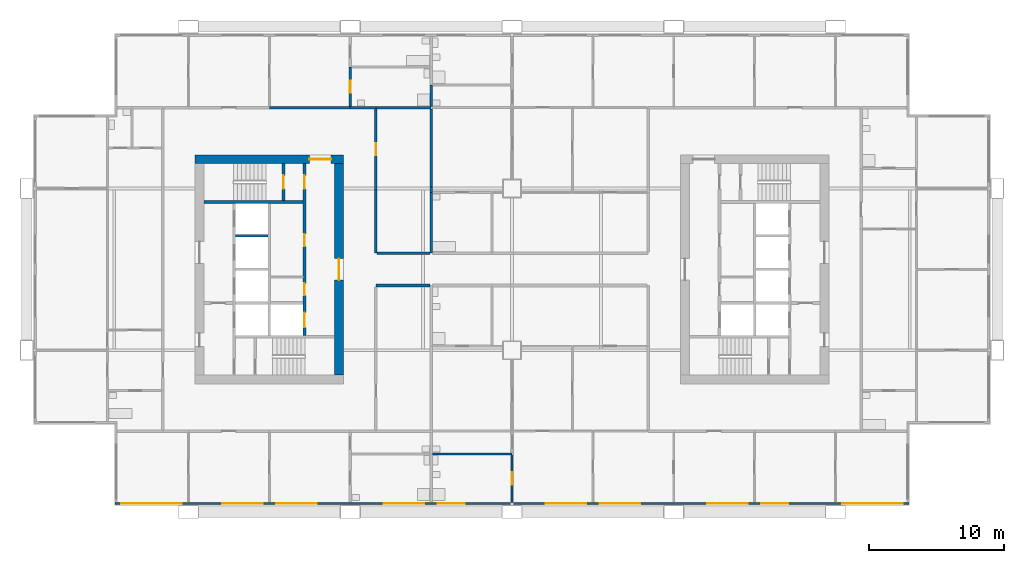
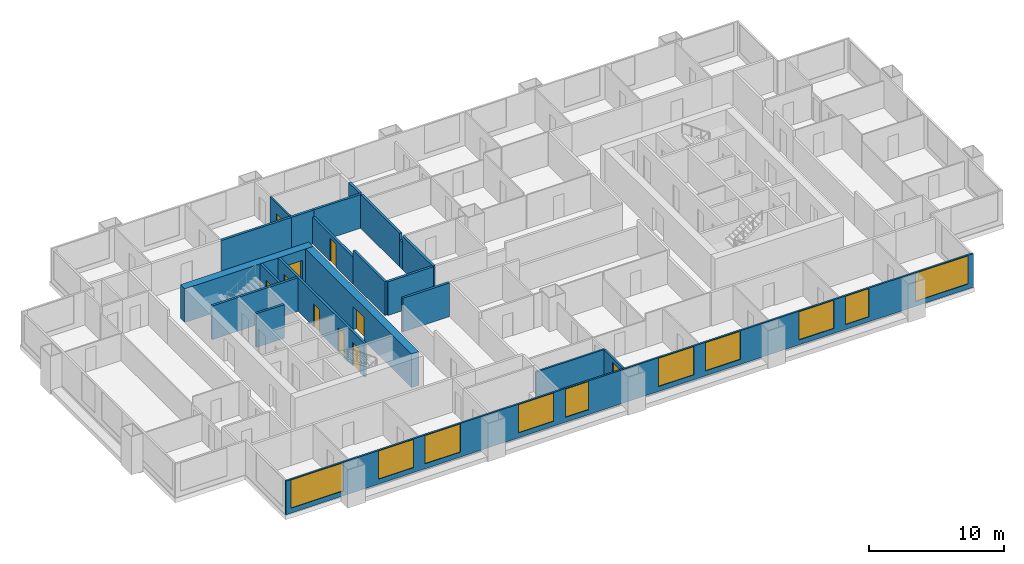
# One storey, part 4 of 11: 21 walls, 10 doors, 10 windows, 20 openings.
"""IFC4 building model written with IfcOpenShell, lengths in metres."""

from ifc_helpers import new_model, si_unit, direction, frame, frame_2d, origin, place, context, subcontext, project, spatial, rectangle, extrude, material, layer, layer_set, type_object, element, fill, save


model = new_model("IFC4")

# Units and contexts
model_context = context("Model", 3, precision=1e-05, world=origin(), true_north=direction((0.0, 1.0)))
body_context = subcontext(model_context, "Body", "Model", "MODEL_VIEW")
ifc_project = project(units=[si_unit("LENGTHUNIT", "METRE"), si_unit("AREAUNIT", "SQUARE_METRE"), si_unit("VOLUMEUNIT", "CUBIC_METRE"), si_unit("PLANEANGLEUNIT", "RADIAN"), si_unit("MASSUNIT", "GRAM", prefix="KILO")], contexts=[model_context])

# Site, building, storey
site_placement = place(None, origin())
site = spatial("IfcSite", under=ifc_project, at=site_placement, CompositionType="ELEMENT")
building_placement = place(site_placement, origin())
building = spatial("IfcBuilding", under=site, at=building_placement, Name="Kitamizu Gate Tower and Museum", CompositionType="ELEMENT")
storey_placement = place(building_placement, frame((0.0, 0.0, 110.39990234375)))
storey = spatial("IfcBuildingStorey", under=building, at=storey_placement, Name="L28", CompositionType="ELEMENT", Elevation=110.39990234375)

# Wall, opening, door
ifc_material_1 = material(Name="Concrete Fc60", Category="concrete")
ifc_layer_1 = layer(ifc_material_1, 0.64990234375)
ifc_layer_set_1 = layer_set([ifc_layer_1], Name="Concrete Fc60")
wall_type_1 = type_object("IfcWallType", Name="Core wall 650", PredefinedType="SHEAR", material=ifc_layer_set_1)
wall_1_placement = place(storey_placement, frame((12.5, 38.175048828125, 0.0), z_axis=(0.0, 0.0, 1.0), x_axis=(1.0, 0.0, 0.0)))
wall_1 = element("IfcWall", 1, at=wall_1_placement, inside=storey, type_object=wall_type_1, Name="Core wall WN", PredefinedType="SHEAR", context=body_context, shape_type="SweptSolid", body=[
    extrude(rectangle(XDim=11.0, YDim=0.64990234375, at=frame_2d((5.5, 0.0))), origin(), (0.0, 0.0, 1.0), 3.050048828125),
])
opening_1_placement = place(wall_1_placement, frame((8.47509765625, 0.0, 0.0)))
opening_1 = element("IfcOpeningElement", 2, at=opening_1_placement, cuts=wall_1, Name="Opening L28-060", PredefinedType="OPENING", context=body_context, shape_type="SweptSolid", body=[
    extrude(rectangle(XDim=1.60009765625, YDim=2.10009765625, at=frame_2d((0.800048828125, 1.050048828125))), frame((0.0, 0.3349609375, 0.0), z_axis=(0.0, -1.0, 0.0), x_axis=(1.0, 0.0, 0.0)), (0.0, 0.0, 1.0), 0.669921875),
])
ifc_material_2 = material(Name="Timber door set", Category="wood")
door_type_1 = type_object("IfcDoorType", Name="Entrance door 1600", OperationType="DOUBLE_DOOR_SINGLE_SWING", PredefinedType="DOOR", material=ifc_material_2)
door_1_placement = place(opening_1_placement, origin())
door_1 = element("IfcDoor", 3, at=door_1_placement, inside=storey, type_object=door_type_1, Name="Lobby door L28-060", OperationType="DOUBLE_DOOR_SINGLE_SWING", OverallHeight=2.10009765625, OverallWidth=1.60009765625, PredefinedType="DOOR", context=body_context, shape_type="SweptSolid", body=[
    extrude(rectangle(XDim=1.60009765625, YDim=2.10009765625, at=frame_2d((0.800048828125, 1.050048828125))), frame((0.0, 0.02490234375, 0.0), z_axis=(0.0, -1.0, 0.0), x_axis=(1.0, 0.0, 0.0)), (0.0, 0.0, 1.0), 0.050048828125),
])
fill(opening_1, door_1)

wall_2_placement = place(storey_placement, frame((23.175048828125, 22.14990234375, 0.0), z_axis=(0.0, 0.0, 1.0), x_axis=(0.0, 1.0, 0.0)))
wall_2 = element("IfcWall", 4, at=wall_2_placement, inside=storey, type_object=wall_type_1, Name="Core wall WARC", PredefinedType="SHEAR", context=body_context, shape_type="SweptSolid", body=[
    extrude(rectangle(XDim=15.7001953125, YDim=0.64990234375, at=frame_2d((7.85009765625, 0.0))), origin(), (0.0, 0.0, 1.0), 3.050048828125),
])
opening_2_placement = place(wall_2_placement, frame((7.050048828125, 0.0, 0.0)))
opening_2 = element("IfcOpeningElement", 5, at=opening_2_placement, cuts=wall_2, Name="Opening L28-061", PredefinedType="OPENING", context=body_context, shape_type="SweptSolid", body=[
    extrude(rectangle(XDim=1.60009765625, YDim=2.10009765625, at=frame_2d((0.800048828125, 1.050048828125))), frame((0.0, 0.3349609375, 0.0), z_axis=(0.0, -1.0, 0.0), x_axis=(1.0, 0.0, 0.0)), (0.0, 0.0, 1.0), 0.669921875),
])
door_2_placement = place(opening_2_placement, origin())
door_2 = element("IfcDoor", 6, at=door_2_placement, inside=storey, type_object=door_type_1, Name="Lobby door L28-061", OperationType="DOUBLE_DOOR_SINGLE_SWING", OverallHeight=2.10009765625, OverallWidth=1.60009765625, PredefinedType="DOOR", context=body_context, shape_type="SweptSolid", body=[
    extrude(rectangle(XDim=1.60009765625, YDim=2.10009765625, at=frame_2d((0.800048828125, 1.050048828125))), frame((0.0, 0.02490234375, 0.0), z_axis=(0.0, -1.0, 0.0), x_axis=(1.0, 0.0, 0.0)), (0.0, 0.0, 1.0), 0.050048828125),
])
fill(opening_2, door_2)

# Wall
ifc_material_3 = material(Name="Gypsum board on galvanised stud")
ifc_layer_2 = layer(ifc_material_3, 0.14990234375)
ifc_layer_set_2 = layer_set([ifc_layer_2], Name="Gypsum board on galvanised stud")
wall_type_2 = type_object("IfcWallType", Name="Partition 150", PredefinedType="PARTITIONING", material=ifc_layer_set_2)
wall_3_placement = place(storey_placement, frame((36.0, 16.320068359375, 0.0), z_axis=(0.0, 0.0, 1.0), x_axis=(-1.0, 0.0, 0.0)))
element("IfcWall", 7, at=wall_3_placement, inside=storey, type_object=wall_type_2, Name="Partition L28-040", PredefinedType="PARTITIONING", context=body_context, shape_type="SweptSolid", body=[
    extrude(rectangle(XDim=5.89990234375, YDim=0.14990234375, at=frame_2d((2.949951171875, 0.0))), origin(), (0.0, 0.0, 1.0), 2.4501953125),
])

# Wall, opening, door
wall_4_placement = place(storey_placement, frame((36.0, 12.719970703125, 0.0), z_axis=(0.0, 0.0, 1.0), x_axis=(0.0, 1.0, 0.0)))
wall_4 = element("IfcWall", 8, at=wall_4_placement, inside=storey, type_object=wall_type_2, Name="Partition L28-041", PredefinedType="PARTITIONING", context=body_context, shape_type="SweptSolid", body=[
    extrude(rectangle(XDim=3.525146484375, YDim=0.14990234375, at=frame_2d((1.7626953125, 0.0))), origin(), (0.0, 0.0, 1.0), 2.4501953125),
])
opening_3_placement = place(wall_4_placement, frame((1.3125, 0.0, 0.0)))
opening_3 = element("IfcOpeningElement", 9, at=opening_3_placement, cuts=wall_4, Name="Opening L28-022", PredefinedType="OPENING", context=body_context, shape_type="SweptSolid", body=[
    extrude(rectangle(XDim=0.89990234375, YDim=2.10009765625, at=frame_2d((0.449951171875, 1.050048828125))), frame((0.0, 0.0849609375, 0.0), z_axis=(0.0, -1.0, 0.0), x_axis=(1.0, 0.0, 0.0)), (0.0, 0.0, 1.0), 0.169921875),
])
ifc_material_4 = material(Name="Timber door set", Category="wood")
door_type_2 = type_object("IfcDoorType", Name="Bathroom door 900", OperationType="NOTDEFINED", PredefinedType="DOOR", material=ifc_material_4)
door_3_placement = place(opening_3_placement, origin())
door_3 = element("IfcDoor", 10, at=door_3_placement, inside=storey, type_object=door_type_2, Name="Bathroom door L28-022", OperationType="SINGLE_SWING_RIGHT", OverallHeight=2.10009765625, OverallWidth=0.89990234375, PredefinedType="DOOR", context=body_context, shape_type="SweptSolid", body=[
    extrude(rectangle(XDim=0.89990234375, YDim=2.10009765625, at=frame_2d((0.449951171875, 1.050048828125))), frame((0.0, 0.02490234375, 0.0), z_axis=(0.0, -1.0, 0.0), x_axis=(1.0, 0.0, 0.0)), (0.0, 0.0, 1.0), 0.050048828125),
])
fill(opening_3, door_3)

wall_5_placement = place(storey_placement, frame((24.0, 42.10009765625, 0.0), z_axis=(0.0, 0.0, 1.0), x_axis=(0.0, 1.0, 0.0)))
wall_5 = element("IfcWall", 11, at=wall_5_placement, inside=storey, type_object=wall_type_2, Name="Partition L28-092", PredefinedType="PARTITIONING", context=body_context, shape_type="SweptSolid", body=[
    extrude(rectangle(XDim=2.89990234375, YDim=0.14990234375, at=frame_2d((1.449951171875, 0.0))), origin(), (0.0, 0.0, 1.0), 3.050048828125),
])
opening_4_placement = place(wall_5_placement, frame((1.0, 0.0, 0.0)))
opening_4 = element("IfcOpeningElement", 12, at=opening_4_placement, cuts=wall_5, Name="Opening L28-037", PredefinedType="OPENING", context=body_context, shape_type="SweptSolid", body=[
    extrude(rectangle(XDim=0.89990234375, YDim=2.10009765625, at=frame_2d((0.449951171875, 1.050048828125))), frame((0.0, 0.0849609375, 0.0), z_axis=(0.0, -1.0, 0.0), x_axis=(1.0, 0.0, 0.0)), (0.0, 0.0, 1.0), 0.169921875),
])
door_4_placement = place(opening_4_placement, frame((0.89990234375, 0.0, 0.0), x_axis=(-1.0, 0.0, 0.0)))
door_4 = element("IfcDoor", 13, at=door_4_placement, inside=storey, type_object=door_type_2, Name="Bathroom door L28-037", OperationType="SINGLE_SWING_LEFT", OverallHeight=2.10009765625, OverallWidth=0.89990234375, PredefinedType="DOOR", context=body_context, shape_type="SweptSolid", body=[
    extrude(rectangle(XDim=0.89990234375, YDim=2.10009765625, at=frame_2d((0.449951171875, 1.050048828125))), frame((0.0, 0.02490234375, 0.0), z_axis=(0.0, -1.0, 0.0), x_axis=(1.0, 0.0, 0.0)), (0.0, 0.0, 1.0), 0.050048828125),
])
fill(opening_4, door_4)

# Walls
ifc_material_5 = material(Name="Gypsum board on galvanised stud")
ifc_layer_3 = layer(ifc_material_5, 0.199951171875)
ifc_layer_set_3 = layer_set([ifc_layer_3], Name="Gypsum board on galvanised stud")
wall_type_3 = type_object("IfcWallType", Name="Partition 200", PredefinedType="PARTITIONING", material=ifc_layer_set_3)
wall_6_placement = place(storey_placement, frame((29.89990234375, 28.800048828125, 0.0), z_axis=(0.0, 0.0, 1.0), x_axis=(-1.0, 0.0, 0.0)))
element("IfcWall", 14, at=wall_6_placement, inside=storey, type_object=wall_type_3, Name="Partition L28-016", PredefinedType="PARTITIONING", context=body_context, shape_type="SweptSolid", body=[
    extrude(rectangle(XDim=4.0, YDim=0.199951171875, at=frame_2d((2.0, 0.0))), origin(), (0.0, 0.0, 1.0), 3.050048828125),
])
wall_7_placement = place(storey_placement, frame((18.0, 42.0, 0.0), z_axis=(0.0, 0.0, 1.0), x_axis=(1.0, 0.0, 0.0)))
element("IfcWall", 15, at=wall_7_placement, inside=storey, type_object=wall_type_3, Name="Partition L28-094", PredefinedType="PARTITIONING", context=body_context, shape_type="SweptSolid", body=[
    extrude(rectangle(XDim=6.0, YDim=0.199951171875, at=frame_2d((3.0, 0.0))), origin(), (0.0, 0.0, 1.0), 3.050048828125),
])
wall_8_placement = place(storey_placement, frame((25.89990234375, 42.0, 0.0), z_axis=(0.0, 0.0, 1.0), x_axis=(1.0, 0.0, 0.0)))
element("IfcWall", 16, at=wall_8_placement, inside=storey, type_object=wall_type_3, Name="Partition L28-096", PredefinedType="PARTITIONING", context=body_context, shape_type="SweptSolid", body=[
    extrude(rectangle(XDim=4.10009765625, YDim=0.199951171875, at=frame_2d((2.050048828125, 0.0))), origin(), (0.0, 0.0, 1.0), 3.050048828125),
])
wall_9_placement = place(storey_placement, frame((30.0, 42.10009765625, 0.0), z_axis=(0.0, 0.0, 1.0), x_axis=(0.0, 1.0, 0.0)))
element("IfcWall", 17, at=wall_9_placement, inside=storey, type_object=wall_type_3, Name="Partition L28-098", PredefinedType="PARTITIONING", context=body_context, shape_type="SweptSolid", body=[
    extrude(rectangle(XDim=1.579833984375, YDim=0.199951171875, at=frame_2d((0.7900390625, 0.0))), origin(), (0.0, 0.0, 1.0), 3.050048828125),
])
wall_10_placement = place(storey_placement, frame((24.0, 42.0, 0.0), z_axis=(0.0, 0.0, 1.0), x_axis=(1.0, 0.0, 0.0)))
element("IfcWall", 18, at=wall_10_placement, inside=storey, type_object=wall_type_3, Name="Partition L28-099", PredefinedType="PARTITIONING", context=body_context, shape_type="SweptSolid", body=[
    extrude(rectangle(XDim=1.89990234375, YDim=0.199951171875, at=frame_2d((0.949951171875, 0.0))), origin(), (0.0, 0.0, 1.0), 3.050048828125),
])
wall_11_placement = place(storey_placement, frame((30.0, 35.699951171875, 0.0), z_axis=(0.0, 0.0, 1.0), x_axis=(0.0, 1.0, 0.0)))
element("IfcWall", 19, at=wall_11_placement, inside=storey, type_object=wall_type_3, Name="Partition L28-101", PredefinedType="PARTITIONING", context=body_context, shape_type="SweptSolid", body=[
    extrude(rectangle(XDim=0.400146484375, YDim=0.199951171875, at=frame_2d((0.2001953125, 0.0))), origin(), (0.0, 0.0, 1.0), 2.4501953125),
])
wall_12_placement = place(storey_placement, frame((30.0, 36.10009765625, 0.0), z_axis=(0.0, 0.0, 1.0), x_axis=(0.0, 1.0, 0.0)))
element("IfcWall", 20, at=wall_12_placement, inside=storey, type_object=wall_type_3, Name="Partition L28-102", PredefinedType="PARTITIONING", context=body_context, shape_type="SweptSolid", body=[
    extrude(rectangle(XDim=5.7998046875, YDim=0.199951171875, at=frame_2d((2.89990234375, 0.0))), origin(), (0.0, 0.0, 1.0), 3.050048828125),
])
wall_13_placement = place(storey_placement, frame((30.0, 31.199951171875, 0.0), z_axis=(0.0, 0.0, 1.0), x_axis=(0.0, 1.0, 0.0)))
element("IfcWall", 21, at=wall_13_placement, inside=storey, type_object=wall_type_3, Name="Partition L28-103", PredefinedType="PARTITIONING", context=body_context, shape_type="SweptSolid", body=[
    extrude(rectangle(XDim=4.5, YDim=0.199951171875, at=frame_2d((2.25, 0.0))), origin(), (0.0, 0.0, 1.0), 3.050048828125),
])

# Wall, opening, door
wall_14_placement = place(storey_placement, frame((25.89990234375, 41.89990234375, 0.0), z_axis=(0.0, 0.0, 1.0), x_axis=(0.0, -1.0, 0.0)))
wall_14 = element("IfcWall", 22, at=wall_14_placement, inside=storey, type_object=wall_type_3, Name="Partition L28-104", PredefinedType="PARTITIONING", context=body_context, shape_type="SweptSolid", body=[
    extrude(rectangle(XDim=6.0, YDim=0.199951171875, at=frame_2d((3.0, 0.0))), origin(), (0.0, 0.0, 1.0), 2.4501953125),
])
opening_5_placement = place(wall_14_placement, frame((2.550048828125, 0.0, 0.0)))
opening_5 = element("IfcOpeningElement", 23, at=opening_5_placement, cuts=wall_14, Name="Opening L28-052", PredefinedType="OPENING", context=body_context, shape_type="SweptSolid", body=[
    extrude(rectangle(XDim=0.89990234375, YDim=2.10009765625, at=frame_2d((0.449951171875, 1.050048828125))), frame((0.0, 0.10986328125, 0.0), z_axis=(0.0, -1.0, 0.0), x_axis=(1.0, 0.0, 0.0)), (0.0, 0.0, 1.0), 0.219970703125),
])
ifc_material_6 = material(Name="Timber door set", Category="wood")
door_type_3 = type_object("IfcDoorType", Name="Room door 900", OperationType="NOTDEFINED", PredefinedType="DOOR", material=ifc_material_6)
door_5_placement = place(opening_5_placement, origin())
door_5 = element("IfcDoor", 24, at=door_5_placement, inside=storey, type_object=door_type_3, Name="Door L28-052", OperationType="SINGLE_SWING_LEFT", OverallHeight=2.10009765625, OverallWidth=0.89990234375, PredefinedType="DOOR", context=body_context, shape_type="SweptSolid", body=[
    extrude(rectangle(XDim=0.89990234375, YDim=2.10009765625, at=frame_2d((0.449951171875, 1.050048828125))), frame((0.0, 0.02490234375, 0.0), z_axis=(0.0, -1.0, 0.0), x_axis=(1.0, 0.0, 0.0)), (0.0, 0.0, 1.0), 0.050048828125),
])
fill(opening_5, door_5)

# Walls
wall_15_placement = place(storey_placement, frame((25.89990234375, 35.89990234375, 0.0), z_axis=(0.0, 0.0, 1.0), x_axis=(0.0, -1.0, 0.0)))
element("IfcWall", 25, at=wall_15_placement, inside=storey, type_object=wall_type_3, Name="Partition L28-105", PredefinedType="PARTITIONING", context=body_context, shape_type="SweptSolid", body=[
    extrude(rectangle(XDim=4.699951171875, YDim=0.199951171875, at=frame_2d((2.35009765625, 0.0))), origin(), (0.0, 0.0, 1.0), 3.050048828125),
])
wall_16_placement = place(storey_placement, frame((26.0, 31.199951171875, 0.0), z_axis=(0.0, 0.0, 1.0), x_axis=(1.0, 0.0, 0.0)))
element("IfcWall", 26, at=wall_16_placement, inside=storey, type_object=wall_type_3, Name="Partition L28-106", PredefinedType="PARTITIONING", context=body_context, shape_type="SweptSolid", body=[
    extrude(rectangle(XDim=3.89990234375, YDim=0.199951171875, at=frame_2d((1.949951171875, 0.0))), origin(), (0.0, 0.0, 1.0), 3.050048828125),
])

# Wall, openings, doors
ifc_material_7 = material(Name="Concrete Fc42", Category="concrete")
ifc_layer_4 = layer(ifc_material_7, 0.199951171875)
ifc_layer_set_4 = layer_set([ifc_layer_4], Name="Concrete Fc42")
wall_type_4 = type_object("IfcWallType", Name="Shaft wall 200", PredefinedType="SOLIDWALL", material=ifc_layer_set_4)
wall_17_placement = place(storey_placement, frame((20.60009765625, 25.10009765625, 0.0), z_axis=(0.0, 0.0, 1.0), x_axis=(0.0, 1.0, 0.0)))
wall_17 = element("IfcWall", 27, at=wall_17_placement, inside=storey, type_object=wall_type_4, Name="Shaft wall WEAST", PredefinedType="SOLIDWALL", context=body_context, shape_type="SweptSolid", body=[
    extrude(rectangle(XDim=12.75, YDim=0.199951171875, at=frame_2d((6.375, 0.0))), origin(), (0.0, 0.0, 1.0), 3.050048828125),
])
opening_6_placement = place(wall_17_placement, frame((0.60009765625, 0.0, 0.0)))
opening_6 = element("IfcOpeningElement", 28, at=opening_6_placement, cuts=wall_17, Name="Opening LD", PredefinedType="OPENING", context=body_context, shape_type="SweptSolid", body=[
    extrude(rectangle(XDim=1.10009765625, YDim=2.10009765625, at=frame_2d((0.550048828125, 1.050048828125))), frame((0.0, 0.10986328125, 0.0), z_axis=(0.0, -1.0, 0.0), x_axis=(1.0, 0.0, 0.0)), (0.0, 0.0, 1.0), 0.219970703125),
])
opening_7_placement = place(wall_17_placement, frame((10.875, 0.0, 0.0)))
opening_7 = element("IfcOpeningElement", 29, at=opening_7_placement, cuts=wall_17, Name="Opening L28-055", PredefinedType="OPENING", context=body_context, shape_type="SweptSolid", body=[
    extrude(rectangle(XDim=1.0, YDim=2.10009765625, at=frame_2d((0.5, 1.050048828125))), frame((0.0, 0.10986328125, 0.0), z_axis=(0.0, -1.0, 0.0), x_axis=(1.0, 0.0, 0.0)), (0.0, 0.0, 1.0), 0.219970703125),
])
opening_8_placement = place(wall_17_placement, frame((2.96240234375, 0.0, 0.0)))
opening_8 = element("IfcOpeningElement", 30, at=opening_8_placement, cuts=wall_17, Name="Opening L28-062", PredefinedType="OPENING", context=body_context, shape_type="SweptSolid", body=[
    extrude(rectangle(XDim=0.89990234375, YDim=2.10009765625, at=frame_2d((0.449951171875, 1.050048828125))), frame((0.0, 0.10986328125, 0.0), z_axis=(0.0, -1.0, 0.0), x_axis=(1.0, 0.0, 0.0)), (0.0, 0.0, 1.0), 0.219970703125),
])
opening_9_placement = place(wall_17_placement, frame((6.612548828125, 0.0, 0.0)))
opening_9 = element("IfcOpeningElement", 31, at=opening_9_placement, cuts=wall_17, Name="Opening L28-063", PredefinedType="OPENING", context=body_context, shape_type="SweptSolid", body=[
    extrude(rectangle(XDim=0.89990234375, YDim=2.10009765625, at=frame_2d((0.449951171875, 1.050048828125))), frame((0.0, 0.10986328125, 0.0), z_axis=(0.0, -1.0, 0.0), x_axis=(1.0, 0.0, 0.0)), (0.0, 0.0, 1.0), 0.219970703125),
])
ifc_material_8 = material(Name="Hollow metal door set")
door_type_4 = type_object("IfcDoorType", Name="Fire door 1000", OperationType="NOTDEFINED", PredefinedType="DOOR", material=ifc_material_8)
door_6_placement = place(opening_7_placement, origin())
door_6 = element("IfcDoor", 32, at=door_6_placement, inside=storey, type_object=door_type_4, Name="Stair lobby door L28-055", OperationType="SINGLE_SWING_RIGHT", OverallHeight=2.10009765625, OverallWidth=1.0, PredefinedType="DOOR", context=body_context, shape_type="SweptSolid", body=[
    extrude(rectangle(XDim=1.0, YDim=2.10009765625, at=frame_2d((0.5, 1.050048828125))), frame((0.0, 0.02490234375, 0.0), z_axis=(0.0, -1.0, 0.0), x_axis=(1.0, 0.0, 0.0)), (0.0, 0.0, 1.0), 0.050048828125),
])
fill(opening_7, door_6)
ifc_material_9 = material(Name="Hollow metal door set")
door_type_5 = type_object("IfcDoorType", Name="Landing door 1100", OperationType="SLIDING_TO_LEFT", PredefinedType="DOOR", material=ifc_material_9)
door_7_placement = place(opening_6_placement, origin())
door_7 = element("IfcDoor", 33, at=door_7_placement, inside=storey, type_object=door_type_5, Name="Landing door WSV1", OperationType="SLIDING_TO_LEFT", OverallHeight=2.10009765625, OverallWidth=1.10009765625, PredefinedType="DOOR", context=body_context, shape_type="SweptSolid", body=[
    extrude(rectangle(XDim=1.10009765625, YDim=2.10009765625, at=frame_2d((0.550048828125, 1.050048828125))), frame((0.0, 0.02490234375, 0.0), z_axis=(0.0, -1.0, 0.0), x_axis=(1.0, 0.0, 0.0)), (0.0, 0.0, 1.0), 0.050048828125),
])
fill(opening_6, door_7)
ifc_material_10 = material(Name="Timber door set", Category="wood")
door_type_6 = type_object("IfcDoorType", Name="Service door 900", OperationType="NOTDEFINED", PredefinedType="DOOR", material=ifc_material_10)
door_8_placement = place(opening_8_placement, origin())
door_8 = element("IfcDoor", 34, at=door_8_placement, inside=storey, type_object=door_type_6, Name="Service door L28-062", OperationType="SINGLE_SWING_RIGHT", OverallHeight=2.10009765625, OverallWidth=0.89990234375, PredefinedType="DOOR", context=body_context, shape_type="SweptSolid", body=[
    extrude(rectangle(XDim=0.89990234375, YDim=2.10009765625, at=frame_2d((0.449951171875, 1.050048828125))), frame((0.0, 0.02490234375, 0.0), z_axis=(0.0, -1.0, 0.0), x_axis=(1.0, 0.0, 0.0)), (0.0, 0.0, 1.0), 0.050048828125),
])
fill(opening_8, door_8)
door_9_placement = place(opening_9_placement, origin())
door_9 = element("IfcDoor", 35, at=door_9_placement, inside=storey, type_object=door_type_6, Name="Service door L28-063", OperationType="SINGLE_SWING_LEFT", OverallHeight=2.10009765625, OverallWidth=0.89990234375, PredefinedType="DOOR", context=body_context, shape_type="SweptSolid", body=[
    extrude(rectangle(XDim=0.89990234375, YDim=2.10009765625, at=frame_2d((0.449951171875, 1.050048828125))), frame((0.0, 0.02490234375, 0.0), z_axis=(0.0, -1.0, 0.0), x_axis=(1.0, 0.0, 0.0)), (0.0, 0.0, 1.0), 0.050048828125),
])
fill(opening_9, door_9)

# Wall
wall_18_placement = place(storey_placement, frame((13.14990234375, 35.0, 0.0), z_axis=(0.0, 0.0, 1.0), x_axis=(1.0, 0.0, 0.0)))
element("IfcWall", 36, at=wall_18_placement, inside=storey, type_object=wall_type_4, Name="Shaft wall WNB", PredefinedType="SOLIDWALL", context=body_context, shape_type="SweptSolid", body=[
    extrude(rectangle(XDim=7.35009765625, YDim=0.199951171875, at=frame_2d((3.675048828125, 0.0))), origin(), (0.0, 0.0, 1.0), 3.050048828125),
])

# Wall, opening, door
wall_19_placement = place(storey_placement, frame((19.050048828125, 35.10009765625, 0.0), z_axis=(0.0, 0.0, 1.0), x_axis=(0.0, 1.0, 0.0)))
wall_19 = element("IfcWall", 37, at=wall_19_placement, inside=storey, type_object=wall_type_4, Name="Shaft wall WNZ", PredefinedType="SOLIDWALL", context=body_context, shape_type="SweptSolid", body=[
    extrude(rectangle(XDim=2.75, YDim=0.199951171875, at=frame_2d((1.375, 0.0))), origin(), (0.0, 0.0, 1.0), 3.050048828125),
])
opening_10_placement = place(wall_19_placement, frame((0.875, 0.0, 0.0)))
opening_10 = element("IfcOpeningElement", 38, at=opening_10_placement, cuts=wall_19, Name="Opening L28-056", PredefinedType="OPENING", context=body_context, shape_type="SweptSolid", body=[
    extrude(rectangle(XDim=1.0, YDim=2.10009765625, at=frame_2d((0.5, 1.050048828125))), frame((0.0, 0.10986328125, 0.0), z_axis=(0.0, -1.0, 0.0), x_axis=(1.0, 0.0, 0.0)), (0.0, 0.0, 1.0), 0.219970703125),
])
door_10_placement = place(opening_10_placement, origin())
door_10 = element("IfcDoor", 39, at=door_10_placement, inside=storey, type_object=door_type_4, Name="Stair door L28-056", OperationType="SINGLE_SWING_LEFT", OverallHeight=2.10009765625, OverallWidth=1.0, PredefinedType="DOOR", context=body_context, shape_type="SweptSolid", body=[
    extrude(rectangle(XDim=1.0, YDim=2.10009765625, at=frame_2d((0.5, 1.050048828125))), frame((0.0, 0.02490234375, 0.0), z_axis=(0.0, -1.0, 0.0), x_axis=(1.0, 0.0, 0.0)), (0.0, 0.0, 1.0), 0.050048828125),
])
fill(opening_10, door_10)

# Wall
wall_20_placement = place(storey_placement, frame((15.5, 32.5, 0.0), z_axis=(0.0, 0.0, 1.0), x_axis=(1.0, 0.0, 0.0)))
element("IfcWall", 40, at=wall_20_placement, inside=storey, type_object=wall_type_4, Name="Shaft wall WDVW2", PredefinedType="SOLIDWALL", context=body_context, shape_type="SweptSolid", body=[
    extrude(rectangle(XDim=2.39990234375, YDim=0.199951171875, at=frame_2d((1.199951171875, 0.0))), origin(), (0.0, 0.0, 1.0), 3.050048828125),
])

# Wall, openings, windows
ifc_material_11 = material(Name="Bronze anodised aluminium frame with insulated spandrel and tinted glass", Category="aluminium")
ifc_layer_5 = layer(ifc_material_11, 0.14990234375)
ifc_layer_set_5 = layer_set([ifc_layer_5], Name="Bronze anodised aluminium frame with insulated spandrel and tinted glass")
wall_type_5 = type_object("IfcWallType", Name="WINDOW WALL 150 BRONZE FRAME EI 30", PredefinedType="ELEMENTEDWALL", material=ifc_layer_set_5)
wall_21_placement = place(storey_placement, frame((6.56005859375, 12.635009765625, 0.0), z_axis=(0.0, 0.0, 1.0), x_axis=(1.0, 0.0, 0.0)))
wall_21 = element("IfcWall", 41, at=wall_21_placement, inside=storey, type_object=wall_type_5, Name="Window wall south L28", PredefinedType="ELEMENTEDWALL", context=body_context, shape_type="SweptSolid", body=[
    extrude(rectangle(XDim=58.8798828125, YDim=0.14990234375, at=frame_2d((29.43994140625, 0.0))), origin(), (0.0, 0.0, 1.0), 3.050048828125),
])
opening_11_placement = place(wall_21_placement, frame((0.43994140625, 0.0, 0.449951171875)))
opening_11 = element("IfcOpeningElement", 42, at=opening_11_placement, cuts=wall_21, Name="Opening W15", PredefinedType="OPENING", context=body_context, shape_type="SweptSolid", body=[
    extrude(rectangle(XDim=4.5, YDim=2.550048828125, at=frame_2d((2.25, 1.27490234375))), frame((0.0, 0.0849609375, 0.0), z_axis=(0.0, -1.0, 0.0), x_axis=(1.0, 0.0, 0.0)), (0.0, 0.0, 1.0), 0.169921875),
])
opening_12_placement = place(wall_21_placement, frame((7.93994140625, 0.0, 0.449951171875)))
opening_12 = element("IfcOpeningElement", 43, at=opening_12_placement, cuts=wall_21, Name="Opening W33", PredefinedType="OPENING", context=body_context, shape_type="SweptSolid", body=[
    extrude(rectangle(XDim=3.0, YDim=2.550048828125, at=frame_2d((1.5, 1.27490234375))), frame((0.0, 0.0849609375, 0.0), z_axis=(0.0, -1.0, 0.0), x_axis=(1.0, 0.0, 0.0)), (0.0, 0.0, 1.0), 0.169921875),
])
opening_13_placement = place(wall_21_placement, frame((11.93994140625, 0.0, 0.449951171875)))
opening_13 = element("IfcOpeningElement", 44, at=opening_13_placement, cuts=wall_21, Name="Opening W33", PredefinedType="OPENING", context=body_context, shape_type="SweptSolid", body=[
    extrude(rectangle(XDim=3.0, YDim=2.550048828125, at=frame_2d((1.5, 1.27490234375))), frame((0.0, 0.0849609375, 0.0), z_axis=(0.0, -1.0, 0.0), x_axis=(1.0, 0.0, 0.0)), (0.0, 0.0, 1.0), 0.169921875),
])
opening_14_placement = place(wall_21_placement, frame((19.93994140625, 0.0, 0.449951171875)))
opening_14 = element("IfcOpeningElement", 45, at=opening_14_placement, cuts=wall_21, Name="Opening W33", PredefinedType="OPENING", context=body_context, shape_type="SweptSolid", body=[
    extrude(rectangle(XDim=3.0, YDim=2.550048828125, at=frame_2d((1.5, 1.27490234375))), frame((0.0, 0.0849609375, 0.0), z_axis=(0.0, -1.0, 0.0), x_axis=(1.0, 0.0, 0.0)), (0.0, 0.0, 1.0), 0.169921875),
])
opening_15_placement = place(wall_21_placement, frame((23.93994140625, 0.0, 0.449951171875)))
opening_15 = element("IfcOpeningElement", 46, at=opening_15_placement, cuts=wall_21, Name="Opening W2", PredefinedType="OPENING", context=body_context, shape_type="SweptSolid", body=[
    extrude(rectangle(XDim=2.0, YDim=2.550048828125, at=frame_2d((1.0, 1.27490234375))), frame((0.0, 0.0849609375, 0.0), z_axis=(0.0, -1.0, 0.0), x_axis=(1.0, 0.0, 0.0)), (0.0, 0.0, 1.0), 0.169921875),
])
opening_16_placement = place(wall_21_placement, frame((31.93994140625, 0.0, 0.449951171875)))
opening_16 = element("IfcOpeningElement", 47, at=opening_16_placement, cuts=wall_21, Name="Opening W33", PredefinedType="OPENING", context=body_context, shape_type="SweptSolid", body=[
    extrude(rectangle(XDim=3.0, YDim=2.550048828125, at=frame_2d((1.5, 1.27490234375))), frame((0.0, 0.0849609375, 0.0), z_axis=(0.0, -1.0, 0.0), x_axis=(1.0, 0.0, 0.0)), (0.0, 0.0, 1.0), 0.169921875),
])
opening_17_placement = place(wall_21_placement, frame((35.93994140625, 0.0, 0.449951171875)))
opening_17 = element("IfcOpeningElement", 48, at=opening_17_placement, cuts=wall_21, Name="Opening W33", PredefinedType="OPENING", context=body_context, shape_type="SweptSolid", body=[
    extrude(rectangle(XDim=3.0, YDim=2.550048828125, at=frame_2d((1.5, 1.27490234375))), frame((0.0, 0.0849609375, 0.0), z_axis=(0.0, -1.0, 0.0), x_axis=(1.0, 0.0, 0.0)), (0.0, 0.0, 1.0), 0.169921875),
])
opening_18_placement = place(wall_21_placement, frame((43.93994140625, 0.0, 0.449951171875)))
opening_18 = element("IfcOpeningElement", 49, at=opening_18_placement, cuts=wall_21, Name="Opening W33", PredefinedType="OPENING", context=body_context, shape_type="SweptSolid", body=[
    extrude(rectangle(XDim=3.0, YDim=2.550048828125, at=frame_2d((1.5, 1.27490234375))), frame((0.0, 0.0849609375, 0.0), z_axis=(0.0, -1.0, 0.0), x_axis=(1.0, 0.0, 0.0)), (0.0, 0.0, 1.0), 0.169921875),
])
opening_19_placement = place(wall_21_placement, frame((47.93994140625, 0.0, 0.449951171875)))
opening_19 = element("IfcOpeningElement", 50, at=opening_19_placement, cuts=wall_21, Name="Opening W2", PredefinedType="OPENING", context=body_context, shape_type="SweptSolid", body=[
    extrude(rectangle(XDim=2.0, YDim=2.550048828125, at=frame_2d((1.0, 1.27490234375))), frame((0.0, 0.0849609375, 0.0), z_axis=(0.0, -1.0, 0.0), x_axis=(1.0, 0.0, 0.0)), (0.0, 0.0, 1.0), 0.169921875),
])
opening_20_placement = place(wall_21_placement, frame((53.93994140625, 0.0, 0.449951171875)))
opening_20 = element("IfcOpeningElement", 51, at=opening_20_placement, cuts=wall_21, Name="Opening W15", PredefinedType="OPENING", context=body_context, shape_type="SweptSolid", body=[
    extrude(rectangle(XDim=4.5, YDim=2.550048828125, at=frame_2d((2.25, 1.27490234375))), frame((0.0, 0.0849609375, 0.0), z_axis=(0.0, -1.0, 0.0), x_axis=(1.0, 0.0, 0.0)), (0.0, 0.0, 1.0), 0.169921875),
])
ifc_material_12 = material(Name="Bronze anodised aluminium frame, tinted triple glazing", Category="aluminium")
window_type_1 = type_object("IfcWindowType", Name="WINDOW 2000 x 2550 SILL 450", PartitioningType="SINGLE_PANEL", PredefinedType="WINDOW", material=ifc_material_12)
window_1_placement = place(opening_15_placement, origin())
window_1 = element("IfcWindow", 52, at=window_1_placement, inside=storey, type_object=window_type_1, Name="Window W2 L28", OverallHeight=2.550048828125, OverallWidth=2.0, PartitioningType="SINGLE_PANEL", PredefinedType="WINDOW", context=body_context, shape_type="SweptSolid", body=[
    extrude(rectangle(XDim=2.0, YDim=2.550048828125, at=frame_2d((1.0, 1.27490234375))), frame((0.0, 0.030029296875, 0.0), z_axis=(0.0, -1.0, 0.0), x_axis=(1.0, 0.0, 0.0)), (0.0, 0.0, 1.0), 0.06005859375),
])
fill(opening_15, window_1)
window_2_placement = place(opening_19_placement, origin())
window_2 = element("IfcWindow", 53, at=window_2_placement, inside=storey, type_object=window_type_1, Name="Window W2 L28", OverallHeight=2.550048828125, OverallWidth=2.0, PartitioningType="SINGLE_PANEL", PredefinedType="WINDOW", context=body_context, shape_type="SweptSolid", body=[
    extrude(rectangle(XDim=2.0, YDim=2.550048828125, at=frame_2d((1.0, 1.27490234375))), frame((0.0, 0.030029296875, 0.0), z_axis=(0.0, -1.0, 0.0), x_axis=(1.0, 0.0, 0.0)), (0.0, 0.0, 1.0), 0.06005859375),
])
fill(opening_19, window_2)
ifc_material_13 = material(Name="Bronze anodised aluminium frame, tinted triple glazing", Category="aluminium")
window_type_2 = type_object("IfcWindowType", Name="WINDOW 3000 x 2550 SILL 450", PartitioningType="SINGLE_PANEL", PredefinedType="WINDOW", material=ifc_material_13)
window_3_placement = place(opening_12_placement, origin())
window_3 = element("IfcWindow", 54, at=window_3_placement, inside=storey, type_object=window_type_2, Name="Window W33 L28", OverallHeight=2.550048828125, OverallWidth=3.0, PartitioningType="SINGLE_PANEL", PredefinedType="WINDOW", context=body_context, shape_type="SweptSolid", body=[
    extrude(rectangle(XDim=3.0, YDim=2.550048828125, at=frame_2d((1.5, 1.27490234375))), frame((0.0, 0.030029296875, 0.0), z_axis=(0.0, -1.0, 0.0), x_axis=(1.0, 0.0, 0.0)), (0.0, 0.0, 1.0), 0.06005859375),
])
fill(opening_12, window_3)
window_4_placement = place(opening_13_placement, origin())
window_4 = element("IfcWindow", 55, at=window_4_placement, inside=storey, type_object=window_type_2, Name="Window W33 L28", OverallHeight=2.550048828125, OverallWidth=3.0, PartitioningType="SINGLE_PANEL", PredefinedType="WINDOW", context=body_context, shape_type="SweptSolid", body=[
    extrude(rectangle(XDim=3.0, YDim=2.550048828125, at=frame_2d((1.5, 1.27490234375))), frame((0.0, 0.030029296875, 0.0), z_axis=(0.0, -1.0, 0.0), x_axis=(1.0, 0.0, 0.0)), (0.0, 0.0, 1.0), 0.06005859375),
])
fill(opening_13, window_4)
window_5_placement = place(opening_14_placement, origin())
window_5 = element("IfcWindow", 56, at=window_5_placement, inside=storey, type_object=window_type_2, Name="Window W33 L28", OverallHeight=2.550048828125, OverallWidth=3.0, PartitioningType="SINGLE_PANEL", PredefinedType="WINDOW", context=body_context, shape_type="SweptSolid", body=[
    extrude(rectangle(XDim=3.0, YDim=2.550048828125, at=frame_2d((1.5, 1.27490234375))), frame((0.0, 0.030029296875, 0.0), z_axis=(0.0, -1.0, 0.0), x_axis=(1.0, 0.0, 0.0)), (0.0, 0.0, 1.0), 0.06005859375),
])
fill(opening_14, window_5)
window_6_placement = place(opening_16_placement, origin())
window_6 = element("IfcWindow", 57, at=window_6_placement, inside=storey, type_object=window_type_2, Name="Window W33 L28", OverallHeight=2.550048828125, OverallWidth=3.0, PartitioningType="SINGLE_PANEL", PredefinedType="WINDOW", context=body_context, shape_type="SweptSolid", body=[
    extrude(rectangle(XDim=3.0, YDim=2.550048828125, at=frame_2d((1.5, 1.27490234375))), frame((0.0, 0.030029296875, 0.0), z_axis=(0.0, -1.0, 0.0), x_axis=(1.0, 0.0, 0.0)), (0.0, 0.0, 1.0), 0.06005859375),
])
fill(opening_16, window_6)
window_7_placement = place(opening_17_placement, origin())
window_7 = element("IfcWindow", 58, at=window_7_placement, inside=storey, type_object=window_type_2, Name="Window W33 L28", OverallHeight=2.550048828125, OverallWidth=3.0, PartitioningType="SINGLE_PANEL", PredefinedType="WINDOW", context=body_context, shape_type="SweptSolid", body=[
    extrude(rectangle(XDim=3.0, YDim=2.550048828125, at=frame_2d((1.5, 1.27490234375))), frame((0.0, 0.030029296875, 0.0), z_axis=(0.0, -1.0, 0.0), x_axis=(1.0, 0.0, 0.0)), (0.0, 0.0, 1.0), 0.06005859375),
])
fill(opening_17, window_7)
window_8_placement = place(opening_18_placement, origin())
window_8 = element("IfcWindow", 59, at=window_8_placement, inside=storey, type_object=window_type_2, Name="Window W33 L28", OverallHeight=2.550048828125, OverallWidth=3.0, PartitioningType="SINGLE_PANEL", PredefinedType="WINDOW", context=body_context, shape_type="SweptSolid", body=[
    extrude(rectangle(XDim=3.0, YDim=2.550048828125, at=frame_2d((1.5, 1.27490234375))), frame((0.0, 0.030029296875, 0.0), z_axis=(0.0, -1.0, 0.0), x_axis=(1.0, 0.0, 0.0)), (0.0, 0.0, 1.0), 0.06005859375),
])
fill(opening_18, window_8)
ifc_material_14 = material(Name="Bronze anodised aluminium frame, tinted triple glazing", Category="aluminium")
window_type_3 = type_object("IfcWindowType", Name="WINDOW 4500 x 2550 SILL 450", PartitioningType="SINGLE_PANEL", PredefinedType="WINDOW", material=ifc_material_14)
window_9_placement = place(opening_11_placement, origin())
window_9 = element("IfcWindow", 60, at=window_9_placement, inside=storey, type_object=window_type_3, Name="Window W15 L28", OverallHeight=2.550048828125, OverallWidth=4.5, PartitioningType="SINGLE_PANEL", PredefinedType="WINDOW", context=body_context, shape_type="SweptSolid", body=[
    extrude(rectangle(XDim=4.5, YDim=2.550048828125, at=frame_2d((2.25, 1.27490234375))), frame((0.0, 0.030029296875, 0.0), z_axis=(0.0, -1.0, 0.0), x_axis=(1.0, 0.0, 0.0)), (0.0, 0.0, 1.0), 0.06005859375),
])
fill(opening_11, window_9)
window_10_placement = place(opening_20_placement, origin())
window_10 = element("IfcWindow", 61, at=window_10_placement, inside=storey, type_object=window_type_3, Name="Window W15 L28", OverallHeight=2.550048828125, OverallWidth=4.5, PartitioningType="SINGLE_PANEL", PredefinedType="WINDOW", context=body_context, shape_type="SweptSolid", body=[
    extrude(rectangle(XDim=4.5, YDim=2.550048828125, at=frame_2d((2.25, 1.27490234375))), frame((0.0, 0.030029296875, 0.0), z_axis=(0.0, -1.0, 0.0), x_axis=(1.0, 0.0, 0.0)), (0.0, 0.0, 1.0), 0.06005859375),
])
fill(opening_20, window_10)

save(model, "model.ifc")
